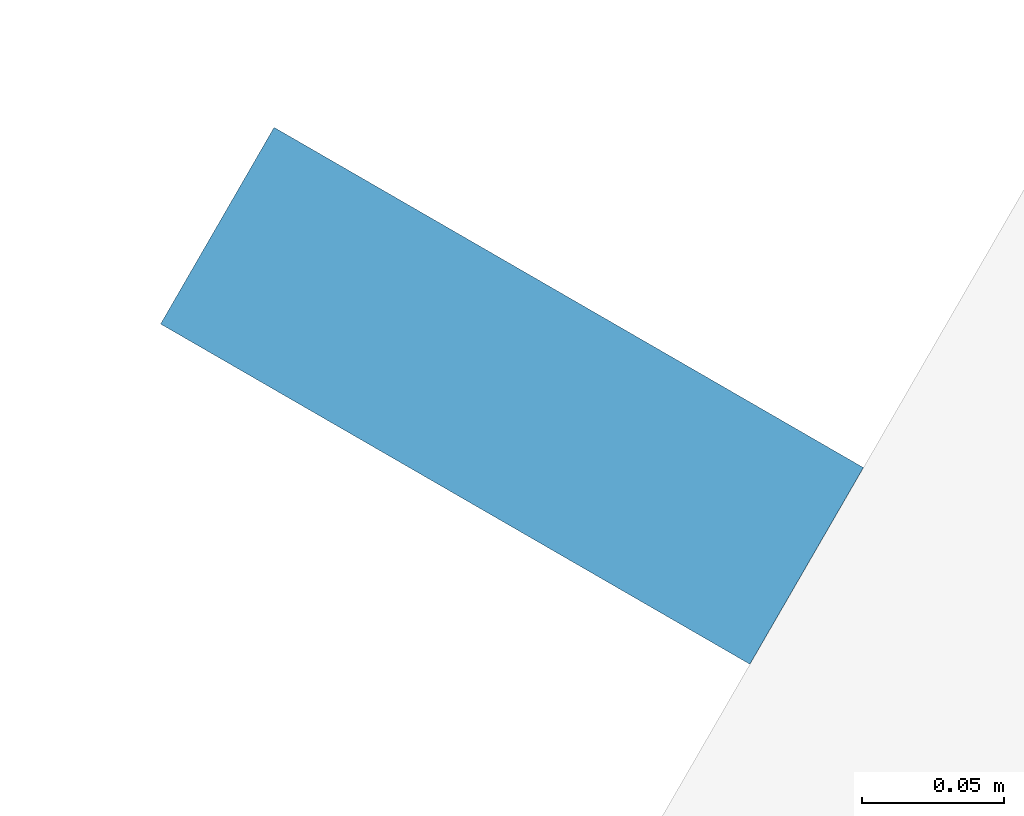
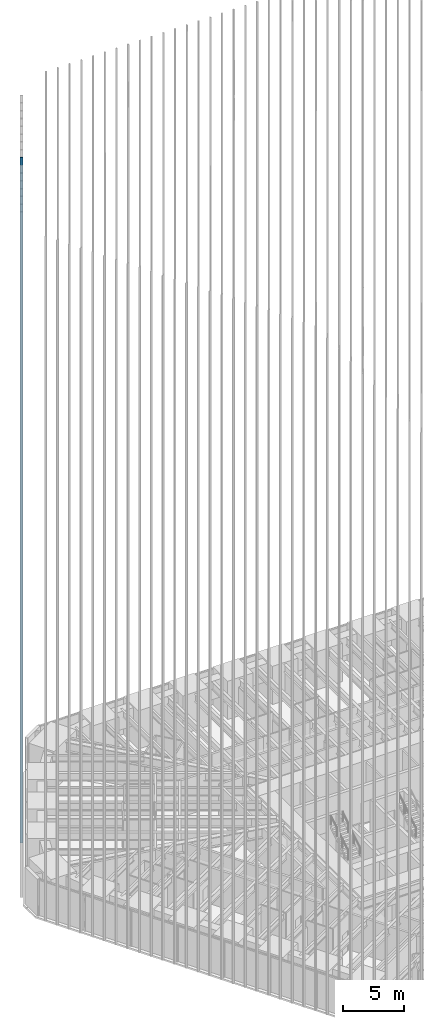
# One storey, part 146 of 256: 1 member, 1 element without a shape of its own.
"""IFC4 building model written with IfcOpenShell, lengths in metres."""

from ifc_helpers import new_model, si_unit, direction, frame, origin, origin_2d, place, context, subcontext, project, spatial, rectangle, extrude, material, material_profile, profile_set, type_object, element, aggregate, save


model = new_model("IFC4")

# Units and contexts
model_context = context("Model", 3, precision=1e-05, world=origin(), true_north=direction((0.0, 1.0)))
body_context = subcontext(model_context, "Body", "Model", "MODEL_VIEW")
ifc_project = project(units=[si_unit("LENGTHUNIT", "METRE"), si_unit("AREAUNIT", "SQUARE_METRE"), si_unit("VOLUMEUNIT", "CUBIC_METRE"), si_unit("PLANEANGLEUNIT", "RADIAN"), si_unit("MASSUNIT", "GRAM", prefix="KILO")], contexts=[model_context])

# Site, building, storey
site_placement = place(None, origin())
site = spatial("IfcSite", under=ifc_project, at=site_placement, CompositionType="ELEMENT")
building_placement = place(site_placement, origin())
building = spatial("IfcBuilding", under=site, at=building_placement, Name="Sandreach Pilgrim Tower", CompositionType="ELEMENT")
storey_placement = place(building_placement, frame((0.0, 0.0, 23.0)))
storey = spatial("IfcBuildingStorey", under=building, at=storey_placement, Name="L04", CompositionType="ELEMENT", Elevation=23.0)

# Curtain wall, member
ifc_material_1 = material(Name="Aluminium framed curtain wall", Category="aluminium")
curtain_wall_type = type_object("IfcCurtainWallType", Name="Hostel tower curtain wall", PredefinedType="NOTDEFINED", material=ifc_material_1)
curtain_wall_placement = place(storey_placement, origin())
curtain_wall = element("IfcCurtainWall", 1, at=curtain_wall_placement, inside=storey, type_object=curtain_wall_type, Name="CW-1 L04 NW", PredefinedType="NOTDEFINED")
ifc_material_2 = material(Name="Extruded terracotta on aluminium core", Category="masonry")
ifc_material_profile = material_profile(ifc_material_2, rectangle(XDim=0.080078125, YDim=0.239990234375, at=origin_2d()), Name="TBW 80X240")
ifc_profile_set = profile_set([ifc_material_profile], Name="Extruded terracotta on aluminium core")
member_type = type_object("IfcMemberType", Name="Terracotta baguette west", PredefinedType="USERDEFINED", material=ifc_profile_set)
member_placement = place(storey_placement, frame((-26.630859375, 14.73583984375, 0.0), z_axis=(0.0, 0.0, 1.0), x_axis=(0.5, 0.866025403784, 0.0)))
member = element("IfcMember", 2, at=member_placement, type_object=member_type, Name="Baguette Z1 NW08", ObjectType="BAGUETTE", PredefinedType="USERDEFINED", context=body_context, shape_type="SweptSolid", body=[
    extrude(rectangle(XDim=0.080078125, YDim=0.239990234375, at=origin_2d()), origin(), (0.0, 0.0, 1.0), 68.239990234375),
])
aggregate(curtain_wall, [member])

save(model, "model.ifc")
